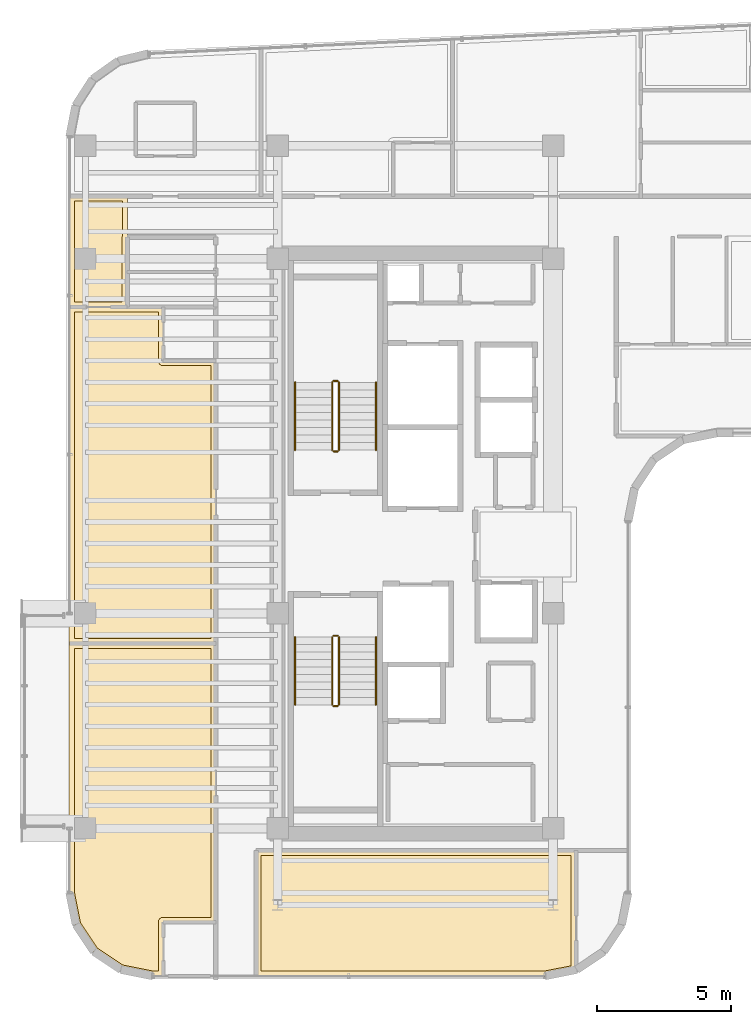
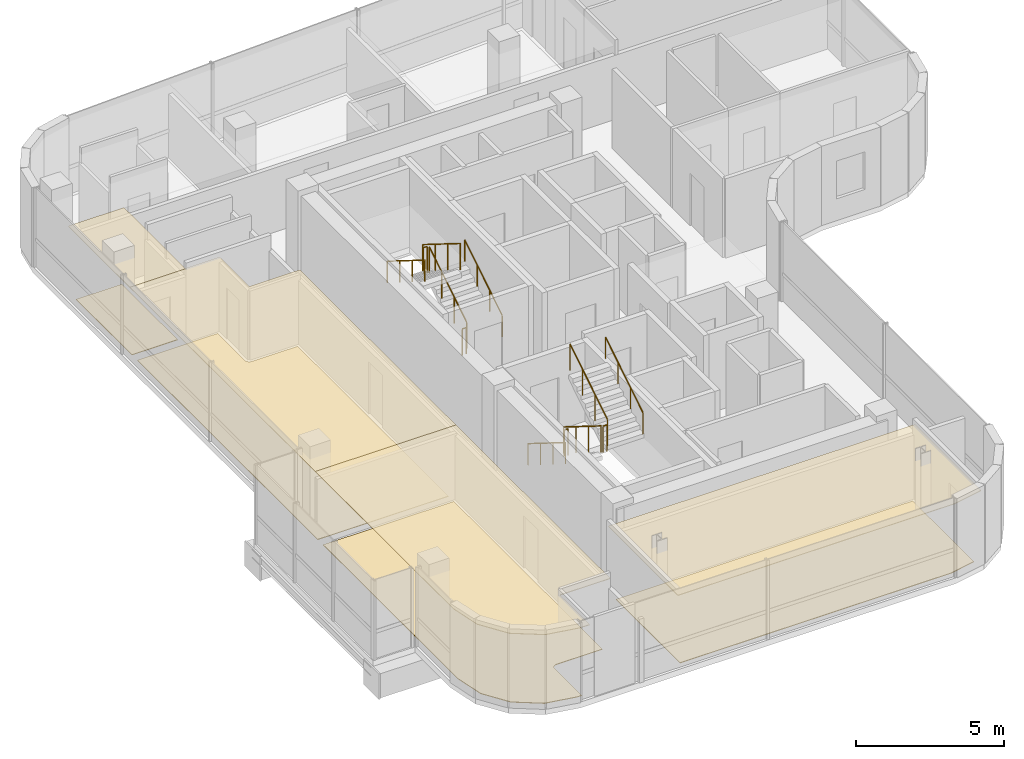
# One storey, part 18 of 19: 12 railings, 8 coverings.
"""IFC4 building model written with IfcOpenShell, lengths in metres."""

from ifc_helpers import new_model, si_unit, direction, frame, origin, origin_2d, place, context, subcontext, project, spatial, polyline, circle, outline, extrude, material, layer, layer_set, type_object, element, save


model = new_model("IFC4")

# Units and contexts
model_context = context("Model", 3, precision=1e-05, world=origin(), true_north=direction((0.0, 1.0)))
body_context = subcontext(model_context, "Body", "Model", "MODEL_VIEW")
ifc_project = project(units=[si_unit("LENGTHUNIT", "METRE"), si_unit("AREAUNIT", "SQUARE_METRE"), si_unit("VOLUMEUNIT", "CUBIC_METRE"), si_unit("PLANEANGLEUNIT", "RADIAN"), si_unit("MASSUNIT", "GRAM", prefix="KILO")], contexts=[model_context])

# Site, building, storey
site_placement = place(None, origin())
site = spatial("IfcSite", under=ifc_project, at=site_placement, CompositionType="ELEMENT")
building_placement = place(site_placement, origin())
building = spatial("IfcBuilding", under=site, at=building_placement, Name="Valdorenza Pilgrim Sanctuary Tower", CompositionType="ELEMENT")
storey_placement = place(building_placement, frame((0.0, 0.0, 269.5)))
storey = spatial("IfcBuildingStorey", under=building, at=storey_placement, Name="L70", CompositionType="ELEMENT", Elevation=269.5)

# Coverings
ifc_material_1 = material(Name="Micro-perforated acoustic mineral ceiling tile", Category="gypsum")
ifc_layer_1 = layer(ifc_material_1, 0.02490234375, Name="Micro-perforated acoustic mineral ceiling tile")
ifc_layer_set_1 = layer_set([ifc_layer_1], Name="Micro-perforated acoustic mineral ceiling tile")
covering_type_1 = type_object("IfcCoveringType", Name="COV-CLG-ACU", PredefinedType="CEILING", material=ifc_layer_set_1)
covering_1_placement = place(storey_placement, frame((0.0, 0.0, 2.9599609375)))
element("IfcCovering", 1, at=covering_1_placement, inside=storey, type_object=covering_type_1, Name="L70 Pilgrim Scholar Office L70-WN Acoustic Ceiling", PredefinedType="CEILING", context=body_context, shape_type="SweptSolid", body=[
    extrude(outline(polyline([(-28.237060546875, 11.39453125), (-28.237060546875, 10.103759765625), (-28.23681640625, 10.10302734375), (-28.23681640625, 10.1015625), (-28.23681640625, 10.10009765625), (-28.23681640625, 10.098388671875), (-28.237060546875, 10.09814453125), (-28.237060546875, 8.800048828125), (-28.237060546875, 8.798583984375), (-28.2373046875, 8.797119140625), (-28.237548828125, 8.795654296875), (-28.238037109375, 8.794189453125), (-28.23876953125, 8.79296875), (-28.239501953125, 8.791748046875), (-28.240478515625, 8.79052734375), (-28.241455078125, 8.789306640625), (-28.242431640625, 8.788330078125), (-28.24365234375, 8.78759765625), (-28.244873046875, 8.786865234375), (-28.246337890625, 8.7861328125), (-28.24755859375, 8.78564453125), (-28.2490234375, 8.785400390625), (-28.25048828125, 8.78515625), (-28.251953125, 8.784912109375), (-30.389892578125, 8.784912109375), (-30.3916015625, 8.78515625), (-30.392822265625, 8.785400390625), (-30.394287109375, 8.78564453125), (-30.395751953125, 8.7861328125), (-30.397216796875, 8.786865234375), (-30.398193359375, 8.78759765625), (-30.3994140625, 8.788330078125), (-30.400634765625, 8.789306640625), (-30.401611328125, 8.79052734375), (-30.402587890625, 8.791748046875), (-30.4033203125, 8.79296875), (-30.40380859375, 8.794189453125), (-30.404296875, 8.795654296875), (-30.40478515625, 8.797119140625), (-30.40478515625, 8.798583984375), (-30.405029296875, 8.800048828125), (-30.405029296875, 12.919921875), (-30.40478515625, 12.92138671875), (-30.40478515625, 12.9228515625), (-30.404296875, 12.92431640625), (-30.40380859375, 12.92578125), (-30.4033203125, 12.927001953125), (-30.402587890625, 12.92822265625), (-30.401611328125, 12.929443359375), (-30.400634765625, 12.9306640625), (-30.3994140625, 12.931640625), (-30.398193359375, 12.9326171875), (-30.397216796875, 12.93310546875), (-30.395751953125, 12.933837890625), (-30.394287109375, 12.934326171875), (-30.392822265625, 12.934814453125), (-30.3916015625, 12.934814453125), (-30.389892578125, 12.93505859375), (-28.25, 12.93505859375), (-28.24853515625, 12.934814453125), (-28.2470703125, 12.934814453125), (-28.24560546875, 12.934326171875), (-28.244384765625, 12.933837890625), (-28.242919921875, 12.93310546875), (-28.24169921875, 12.9326171875), (-28.240478515625, 12.931640625), (-28.239501953125, 12.9306640625), (-28.23828125, 12.929443359375), (-28.237548828125, 12.92822265625), (-28.23681640625, 12.927001953125), (-28.236083984375, 12.92578125), (-28.235595703125, 12.92431640625), (-28.2353515625, 12.9228515625), (-28.235107421875, 12.92138671875), (-28.235107421875, 12.919921875), (-28.235107421875, 11.402099609375), (-28.235107421875, 11.400390625), (-28.2353515625, 11.39892578125), (-28.235595703125, 11.3974609375), (-28.236083984375, 11.39599609375), (-28.23681640625, 11.394775390625), (-28.237060546875, 11.39453125)])), origin(), (0.0, 0.0, 1.0), 0.025146484375),
])
covering_2_placement = place(storey_placement, frame((0.0, 0.0, 2.9599609375)))
element("IfcCovering", 2, at=covering_2_placement, inside=storey, type_object=covering_type_1, Name="L70 Pilgrim Family Guest Room L70-W1 Acoustic Ceiling", PredefinedType="CEILING", context=body_context, shape_type="SweptSolid", body=[
    extrude(outline(polyline([(-30.405029296875, -3.719970703125), (-30.40478515625, -3.718505859375), (-30.40478515625, -3.717041015625), (-30.404296875, -3.715576171875), (-30.40380859375, -3.71435546875), (-30.4033203125, -3.712890625), (-30.402587890625, -3.711669921875), (-30.401611328125, -3.71044921875), (-30.400634765625, -3.70947265625), (-30.3994140625, -3.70849609375), (-30.398193359375, -3.70751953125), (-30.397216796875, -3.706787109375), (-30.395751953125, -3.7060546875), (-30.394287109375, -3.70556640625), (-30.392822265625, -3.705322265625), (-30.3916015625, -3.705078125), (-30.389892578125, -3.705078125), (-24.949951171875, -3.705078125), (-24.948486328125, -3.705078125), (-24.947021484375, -3.705322265625), (-24.945556640625, -3.70556640625), (-24.9443359375, -3.7060546875), (-24.94287109375, -3.706787109375), (-24.941650390625, -3.70751953125), (-24.9404296875, -3.70849609375), (-24.939453125, -3.70947265625), (-24.9384765625, -3.71044921875), (-24.9375, -3.711669921875), (-24.936767578125, -3.712890625), (-24.93603515625, -3.71435546875), (-24.935546875, -3.715576171875), (-24.935302734375, -3.717041015625), (-24.93505859375, -3.718505859375), (-24.93505859375, -3.719970703125), (-24.93505859375, -14.087890625), (-24.93505859375, -14.089599609375), (-24.935302734375, -14.0908203125), (-24.935546875, -14.09228515625), (-24.93603515625, -14.09375), (-24.936767578125, -14.09521484375), (-24.9375, -14.09619140625), (-24.9384765625, -14.097412109375), (-24.939453125, -14.0986328125), (-24.9404296875, -14.099609375), (-24.941650390625, -14.1005859375), (-24.94287109375, -14.101318359375), (-24.9443359375, -14.101806640625), (-24.945556640625, -14.102294921875), (-24.947021484375, -14.102783203125), (-24.948486328125, -14.102783203125), (-24.949951171875, -14.10302734375), (-26.89501953125, -14.10302734375), (-26.89501953125, -16.090087890625), (-26.89501953125, -16.091552734375), (-26.895263671875, -16.093017578125), (-26.8955078125, -16.094482421875), (-26.89599609375, -16.095703125), (-26.896728515625, -16.09716796875), (-26.8974609375, -16.098388671875), (-26.8984375, -16.099609375), (-26.8994140625, -16.1005859375), (-26.900390625, -16.1015625), (-26.901611328125, -16.1025390625), (-26.90283203125, -16.103271484375), (-26.904296875, -16.10400390625), (-26.905517578125, -16.1044921875), (-26.906982421875, -16.104736328125), (-26.908447265625, -16.10498046875), (-26.909912109375, -16.10498046875), (-27.289306640625, -16.10498046875), (-27.29052734375, -16.10498046875), (-27.2919921875, -16.104736328125), (-28.484619140625, -15.867431640625), (-28.486083984375, -15.8671875), (-28.4873046875, -15.86669921875), (-28.48876953125, -15.865966796875), (-28.489990234375, -15.865234375), (-29.49169921875, -15.19580078125), (-29.492919921875, -15.195068359375), (-29.493896484375, -15.194091796875), (-29.4951171875, -15.19287109375), (-29.495849609375, -15.191650390625), (-30.165283203125, -14.18994140625), (-30.166015625, -14.188720703125), (-30.16650390625, -14.1875), (-30.1669921875, -14.18603515625), (-30.16748046875, -14.1845703125), (-30.40478515625, -12.9921875), (-30.40478515625, -12.990478515625), (-30.405029296875, -12.9892578125), (-30.405029296875, -3.719970703125)])), origin(), (0.0, 0.0, 1.0), 0.025146484375),
])
covering_3_placement = place(storey_placement, frame((0.0, 0.0, 2.9599609375)))
element("IfcCovering", 3, at=covering_3_placement, inside=storey, type_object=covering_type_1, Name="L70 Pilgrim Family Guest Room L70-W2 Acoustic Ceiling", PredefinedType="CEILING", context=body_context, shape_type="SweptSolid", body=[
    extrude(outline(polyline([(-30.405029296875, 8.798095703125), (-30.40478515625, 8.799560546875), (-30.40478515625, 8.80078125), (-30.404296875, 8.802490234375), (-30.40380859375, 8.8037109375), (-30.4033203125, 8.80517578125), (-30.402587890625, 8.806396484375), (-30.401611328125, 8.8076171875), (-30.400634765625, 8.80859375), (-30.3994140625, 8.8095703125), (-30.398193359375, 8.810546875), (-30.397216796875, 8.811279296875), (-30.395751953125, 8.81201171875), (-30.394287109375, 8.8125), (-30.392822265625, 8.812744140625), (-30.3916015625, 8.81298828125), (-30.389892578125, 8.81298828125), (-28.253662109375, 8.81298828125), (-28.253173828125, 8.81298828125), (-28.25146484375, 8.813232421875), (-28.25, 8.813232421875), (-28.24853515625, 8.81298828125), (-28.248291015625, 8.81298828125), (-26.909912109375, 8.81298828125), (-26.908447265625, 8.81298828125), (-26.906982421875, 8.812744140625), (-26.905517578125, 8.8125), (-26.904296875, 8.81201171875), (-26.90283203125, 8.811279296875), (-26.901611328125, 8.810546875), (-26.900390625, 8.8095703125), (-26.8994140625, 8.80859375), (-26.8984375, 8.8076171875), (-26.8974609375, 8.806396484375), (-26.896728515625, 8.80517578125), (-26.89599609375, 8.8037109375), (-26.8955078125, 8.802490234375), (-26.895263671875, 8.80078125), (-26.89501953125, 8.799560546875), (-26.89501953125, 8.798095703125), (-26.89501953125, 6.81298828125), (-24.949951171875, 6.81298828125), (-24.948486328125, 6.81298828125), (-24.947021484375, 6.812744140625), (-24.945556640625, 6.8125), (-24.9443359375, 6.81201171875), (-24.94287109375, 6.811279296875), (-24.941650390625, 6.810546875), (-24.9404296875, 6.8095703125), (-24.939453125, 6.80859375), (-24.9384765625, 6.8076171875), (-24.9375, 6.806396484375), (-24.936767578125, 6.80517578125), (-24.93603515625, 6.8037109375), (-24.935546875, 6.802490234375), (-24.935302734375, 6.80078125), (-24.93505859375, 6.799560546875), (-24.93505859375, 6.798095703125), (-24.93505859375, -3.718017578125), (-24.93505859375, -3.719482421875), (-24.935302734375, -3.720947265625), (-24.935546875, -3.722412109375), (-24.93603515625, -3.7236328125), (-24.936767578125, -3.72509765625), (-24.9375, -3.726318359375), (-24.9384765625, -3.7275390625), (-24.939453125, -3.728515625), (-24.9404296875, -3.7294921875), (-24.941650390625, -3.73046875), (-24.94287109375, -3.731201171875), (-24.9443359375, -3.73193359375), (-24.945556640625, -3.732421875), (-24.947021484375, -3.732666015625), (-24.948486328125, -3.73291015625), (-24.949951171875, -3.73291015625), (-30.389892578125, -3.73291015625), (-30.3916015625, -3.73291015625), (-30.392822265625, -3.732666015625), (-30.394287109375, -3.732421875), (-30.395751953125, -3.73193359375), (-30.397216796875, -3.731201171875), (-30.398193359375, -3.73046875), (-30.3994140625, -3.7294921875), (-30.400634765625, -3.728515625), (-30.401611328125, -3.7275390625), (-30.402587890625, -3.726318359375), (-30.4033203125, -3.72509765625), (-30.40380859375, -3.7236328125), (-30.404296875, -3.722412109375), (-30.40478515625, -3.720947265625), (-30.40478515625, -3.719482421875), (-30.405029296875, -3.718017578125), (-30.405029296875, 8.798095703125)])), origin(), (0.0, 0.0, 1.0), 0.025146484375),
])
covering_4_placement = place(storey_placement, frame((0.0, 0.0, 2.9599609375)))
element("IfcCovering", 4, at=covering_4_placement, inside=storey, type_object=covering_type_1, Name="L70 South Contemplation Lounge L70 Acoustic Ceiling", PredefinedType="CEILING", context=body_context, shape_type="SweptSolid", body=[
    extrude(outline(polyline([(-11.550048828125, -11.405029296875), (-11.548583984375, -11.405029296875), (-11.547119140625, -11.4052734375), (-11.545654296875, -11.405517578125), (-11.544189453125, -11.406005859375), (-11.54296875, -11.40673828125), (-11.541748046875, -11.407470703125), (-11.54052734375, -11.408447265625), (-11.539306640625, -11.409423828125), (-11.538330078125, -11.410400390625), (-11.53759765625, -11.41162109375), (-11.536865234375, -11.412841796875), (-11.5361328125, -11.414306640625), (-11.53564453125, -11.41552734375), (-11.535400390625, -11.4169921875), (-11.53515625, -11.41845703125), (-11.534912109375, -11.419921875), (-11.534912109375, -15.859130859375), (-11.53515625, -15.860595703125), (-11.535400390625, -15.862060546875), (-11.53564453125, -15.86328125), (-11.5361328125, -15.86474609375), (-11.536865234375, -15.8662109375), (-11.53759765625, -15.867431640625), (-11.538330078125, -15.86865234375), (-11.539306640625, -15.86962890625), (-11.54052734375, -15.87060546875), (-11.541748046875, -15.87158203125), (-11.54296875, -15.872314453125), (-11.544189453125, -15.872802734375), (-11.545654296875, -15.873291015625), (-11.547119140625, -15.873779296875), (-12.7080078125, -16.104736328125), (-12.70947265625, -16.10498046875), (-12.710693359375, -16.10498046875), (-23.449951171875, -16.10498046875), (-23.451416015625, -16.10498046875), (-23.452880859375, -16.104736328125), (-23.454345703125, -16.1044921875), (-23.455810546875, -16.10400390625), (-23.45703125, -16.103271484375), (-23.458251953125, -16.1025390625), (-23.45947265625, -16.1015625), (-23.460693359375, -16.1005859375), (-23.461669921875, -16.099609375), (-23.46240234375, -16.098388671875), (-23.463134765625, -16.09716796875), (-23.4638671875, -16.095703125), (-23.46435546875, -16.094482421875), (-23.464599609375, -16.093017578125), (-23.46484375, -16.091552734375), (-23.465087890625, -16.090087890625), (-23.465087890625, -11.419921875), (-23.46484375, -11.41845703125), (-23.464599609375, -11.4169921875), (-23.46435546875, -11.41552734375), (-23.4638671875, -11.414306640625), (-23.463134765625, -11.412841796875), (-23.46240234375, -11.41162109375), (-23.461669921875, -11.410400390625), (-23.460693359375, -11.409423828125), (-23.45947265625, -11.408447265625), (-23.458251953125, -11.407470703125), (-23.45703125, -11.40673828125), (-23.455810546875, -11.406005859375), (-23.454345703125, -11.405517578125), (-23.452880859375, -11.4052734375), (-23.451416015625, -11.405029296875), (-23.449951171875, -11.405029296875), (-11.550048828125, -11.405029296875)])), origin(), (0.0, 0.0, 1.0), 0.025146484375),
])
ifc_material_2 = material(Name="Engineered European oak timber flooring", Category="wood")
ifc_layer_2 = layer(ifc_material_2, 0.02197265625, Name="Engineered European oak timber flooring")
ifc_layer_set_2 = layer_set([ifc_layer_2], Name="Engineered European oak timber flooring")
covering_type_2 = type_object("IfcCoveringType", Name="COV-FLR-OAK", PredefinedType="FLOORING", material=ifc_layer_set_2)
covering_5_placement = place(storey_placement, origin())
element("IfcCovering", 5, at=covering_5_placement, inside=storey, type_object=covering_type_2, Name="L70 Pilgrim Family Guest Room L70-W1 Flooring", PredefinedType="FLOORING", context=body_context, shape_type="SweptSolid", body=[
    extrude(outline(polyline([(-30.2099609375, -3.89990234375), (-25.1298828125, -3.89990234375), (-25.1298828125, -13.907958984375), (-26.907958984375, -13.907958984375), (-26.916748046875, -13.908203125), (-26.9169921875, -13.908203125), (-26.9345703125, -13.909912109375), (-26.934814453125, -13.909912109375), (-26.9521484375, -13.913330078125), (-26.952392578125, -13.91357421875), (-26.96923828125, -13.918701171875), (-26.969482421875, -13.918701171875), (-26.985595703125, -13.92529296875), (-26.98583984375, -13.925537109375), (-27.00146484375, -13.933837890625), (-27.001708984375, -13.933837890625), (-27.016357421875, -13.94384765625), (-27.0166015625, -13.94384765625), (-27.030029296875, -13.955078125), (-27.0302734375, -13.955078125), (-27.042724609375, -13.9677734375), (-27.04296875, -13.968017578125), (-27.05419921875, -13.9814453125), (-27.05419921875, -13.981689453125), (-27.064208984375, -13.996337890625), (-27.064208984375, -13.99658203125), (-27.072509765625, -14.01220703125), (-27.072509765625, -14.01220703125), (-27.079345703125, -14.028564453125), (-27.079345703125, -14.02880859375), (-27.08447265625, -14.045654296875), (-27.084716796875, -14.0458984375), (-27.087890625, -14.063232421875), (-27.087890625, -14.0634765625), (-27.08984375, -14.0810546875), (-27.08984375, -14.081298828125), (-27.090087890625, -14.090087890625), (-27.090087890625, -15.909912109375), (-27.271484375, -15.909912109375), (-28.411376953125, -15.68310546875), (-29.353515625, -15.0537109375), (-29.983154296875, -14.111328125), (-30.2099609375, -12.971435546875), (-30.2099609375, -3.89990234375)])), origin(), (0.0, 0.0, 1.0), 0.02490234375),
])
covering_6_placement = place(storey_placement, origin())
element("IfcCovering", 6, at=covering_6_placement, inside=storey, type_object=covering_type_2, Name="L70 Pilgrim Family Guest Room L70-W2 Flooring", PredefinedType="FLOORING", context=body_context, shape_type="SweptSolid", body=[
    extrude(outline(polyline([(-30.2099609375, 8.617919921875), (-28.251953125, 8.617919921875), (-28.2509765625, 8.617919921875), (-28.250244140625, 8.617919921875), (-28.25, 8.617919921875), (-27.090087890625, 8.617919921875), (-27.090087890625, 6.800048828125), (-27.08984375, 6.791259765625), (-27.08984375, 6.791015625), (-27.087890625, 6.7734375), (-27.087890625, 6.773193359375), (-27.084716796875, 6.755859375), (-27.08447265625, 6.755615234375), (-27.079345703125, 6.73876953125), (-27.079345703125, 6.738525390625), (-27.072509765625, 6.722412109375), (-27.072509765625, 6.72216796875), (-27.064208984375, 6.70654296875), (-27.064208984375, 6.706298828125), (-27.05419921875, 6.691650390625), (-27.05419921875, 6.69140625), (-27.04296875, 6.677978515625), (-27.042724609375, 6.677734375), (-27.0302734375, 6.665283203125), (-27.030029296875, 6.6650390625), (-27.0166015625, 6.65380859375), (-27.016357421875, 6.65380859375), (-27.001708984375, 6.643798828125), (-27.00146484375, 6.643798828125), (-26.98583984375, 6.635498046875), (-26.985595703125, 6.635498046875), (-26.969482421875, 6.628662109375), (-26.96923828125, 6.628662109375), (-26.952392578125, 6.62353515625), (-26.9521484375, 6.623291015625), (-26.934814453125, 6.6201171875), (-26.9345703125, 6.6201171875), (-26.9169921875, 6.6181640625), (-26.916748046875, 6.6181640625), (-26.907958984375, 6.617919921875), (-25.1298828125, 6.617919921875), (-25.1298828125, -3.5380859375), (-30.2099609375, -3.5380859375), (-30.2099609375, 8.617919921875)])), origin(), (0.0, 0.0, 1.0), 0.02490234375),
])
ifc_material_3 = material(Name="Honed travertine stone flooring", Category="masonry")
ifc_layer_3 = layer(ifc_material_3, 0.030029296875, Name="Honed travertine stone flooring")
ifc_layer_set_3 = layer_set([ifc_layer_3], Name="Honed travertine stone flooring")
covering_type_3 = type_object("IfcCoveringType", Name="COV-FLR-TRV", PredefinedType="FLOORING", material=ifc_layer_set_3)
covering_7_placement = place(storey_placement, origin())
element("IfcCovering", 7, at=covering_7_placement, inside=storey, type_object=covering_type_3, Name="L70 Pilgrim Scholar Office L70-WN Flooring", PredefinedType="FLOORING", context=body_context, shape_type="SweptSolid", body=[
    extrude(outline(polyline([(-28.431884765625, 10.100341796875), (-28.431884765625, 10.10009765625), (-28.431884765625, 8.97998046875), (-30.2099609375, 8.97998046875), (-30.2099609375, 12.739990234375), (-28.429931640625, 12.739990234375), (-28.429931640625, 11.427001953125), (-28.429931640625, 11.4267578125), (-28.429931640625, 11.426513671875), (-28.431884765625, 11.408935546875), (-28.431884765625, 11.40869140625), (-28.431884765625, 11.39990234375), (-28.431884765625, 10.10205078125), (-28.431884765625, 10.10107421875), (-28.431884765625, 10.100341796875)])), origin(), (0.0, 0.0, 1.0), 0.02490234375),
])
covering_8_placement = place(storey_placement, origin())
element("IfcCovering", 8, at=covering_8_placement, inside=storey, type_object=covering_type_3, Name="L70 South Contemplation Lounge L70 Flooring", PredefinedType="FLOORING", context=body_context, shape_type="SweptSolid", body=[
    extrude(outline(polyline([(-11.72998046875, -11.60009765625), (-11.72998046875, -15.71142578125), (-12.728515625, -15.909912109375), (-23.27001953125, -15.909912109375), (-23.27001953125, -11.60009765625), (-11.72998046875, -11.60009765625)])), origin(), (0.0, 0.0, 1.0), 0.02490234375),
])

# Railings
ifc_material_4 = material(Name="Stainless steel Grade 316", Category="steel")
railing_type_1 = type_object("IfcRailingType", Name="RLG-GRD-1120", PredefinedType="GUARDRAIL", material=ifc_material_4)
railing_1_placement = place(storey_placement, frame((-20.3701171875, 3.47998046875, 0.175048828125)))
element("IfcRailing", 9, at=railing_1_placement, inside=storey, type_object=railing_type_1, Name="L70 ST-A1 stair guard 1", PredefinedType="GUARDRAIL", context=body_context, shape_type="SweptSolid", body=[
    extrude(circle(Radius=0.02392578125, at=origin_2d()), frame((0.0, 0.0, 1.076171875), z_axis=(0.0, 0.848007534815, 0.529984170421), x_axis=(-1.0, 0.0, 0.0)), (0.0, 0.0, 1.0), 2.9716796875),
    extrude(circle(Radius=0.02099609375, at=origin_2d()), origin(), (0.0, 0.0, 1.0), 1.052001953125),
    extrude(circle(Radius=0.02099609375, at=origin_2d()), frame((0.0, 0.840087890625, 0.52490234375)), (0.0, 0.0, 1.0), 1.052001953125),
    extrude(circle(Radius=0.02099609375, at=origin_2d()), frame((0.0, 1.679931640625, 1.050048828125)), (0.0, 0.0, 1.0), 1.052001953125),
    extrude(circle(Radius=0.02099609375, at=origin_2d()), frame((0.0, 2.52001953125, 1.574951171875)), (0.0, 0.0, 1.0), 1.052001953125),
])
railing_2_placement = place(storey_placement, frame((-20.419921875, 6.050048828125, 1.75)))
element("IfcRailing", 10, at=railing_2_placement, inside=storey, type_object=railing_type_1, Name="L70 ST-A1 stair guard 2", PredefinedType="GUARDRAIL", context=body_context, shape_type="SweptSolid", body=[
    extrude(circle(Radius=0.02392578125, at=origin_2d()), frame((0.0, 0.0, 1.076171875), z_axis=(-1.0, 0.0, 0.0), x_axis=(0.0, -1.0, 0.0)), (0.0, 0.0, 1.0), 0.150146484375),
    extrude(circle(Radius=0.02099609375, at=origin_2d()), origin(), (0.0, 0.0, 1.0), 1.052001953125),
    extrude(circle(Radius=0.02099609375, at=origin_2d()), frame((-0.150146484375, 0.0, 0.0)), (0.0, 0.0, 1.0), 1.052001953125),
])
railing_3_placement = place(storey_placement, frame((-20.6201171875, 6.0, 1.925048828125)))
element("IfcRailing", 11, at=railing_3_placement, inside=storey, type_object=railing_type_1, Name="L70 ST-A1 stair guard 3", PredefinedType="GUARDRAIL", context=body_context, shape_type="SweptSolid", body=[
    extrude(circle(Radius=0.02392578125, at=origin_2d()), frame((0.0, 0.0, 1.076171875), z_axis=(0.0, -0.848007534815, 0.529984170421), x_axis=(1.0, 0.0, 0.0)), (0.0, 0.0, 1.0), 2.9716796875),
    extrude(circle(Radius=0.02099609375, at=origin_2d()), origin(), (0.0, 0.0, 1.0), 1.052001953125),
    extrude(circle(Radius=0.02099609375, at=origin_2d()), frame((0.0, -0.840087890625, 0.52490234375)), (0.0, 0.0, 1.0), 1.052001953125),
    extrude(circle(Radius=0.02099609375, at=origin_2d()), frame((0.0, -1.679931640625, 1.050048828125)), (0.0, 0.0, 1.0), 1.052001953125),
    extrude(circle(Radius=0.02099609375, at=origin_2d()), frame((0.0, -2.52001953125, 1.574951171875)), (0.0, 0.0, 1.0), 1.052001953125),
])
railing_4_placement = place(storey_placement, frame((-20.419921875, 3.429931640625, 0.0)))
element("IfcRailing", 12, at=railing_4_placement, inside=storey, type_object=railing_type_1, Name="L70 ST-A1 stair guard 4", PredefinedType="GUARDRAIL", context=body_context, shape_type="SweptSolid", body=[
    extrude(circle(Radius=0.02392578125, at=origin_2d()), frame((0.0, 0.0, 1.076171875), z_axis=(-1.0, 0.0, 0.0), x_axis=(0.0, -1.0, 0.0)), (0.0, 0.0, 1.0), 0.150146484375),
    extrude(circle(Radius=0.02099609375, at=origin_2d()), origin(), (0.0, 0.0, 1.0), 1.052001953125),
    extrude(circle(Radius=0.02099609375, at=origin_2d()), frame((-0.150146484375, 0.0, 0.0)), (0.0, 0.0, 1.0), 1.052001953125),
])
railing_5_placement = place(storey_placement, frame((-20.6201171875, -3.47998046875, 0.175048828125)))
element("IfcRailing", 13, at=railing_5_placement, inside=storey, type_object=railing_type_1, Name="L70 ST-A2 stair guard 1", PredefinedType="GUARDRAIL", context=body_context, shape_type="SweptSolid", body=[
    extrude(circle(Radius=0.02392578125, at=origin_2d()), frame((0.0, 0.0, 1.076171875), z_axis=(0.0, -0.848007534815, 0.529984170421), x_axis=(1.0, 0.0, 0.0)), (0.0, 0.0, 1.0), 2.9716796875),
    extrude(circle(Radius=0.02099609375, at=origin_2d()), origin(), (0.0, 0.0, 1.0), 1.052001953125),
    extrude(circle(Radius=0.02099609375, at=origin_2d()), frame((0.0, -0.840087890625, 0.52490234375)), (0.0, 0.0, 1.0), 1.052001953125),
    extrude(circle(Radius=0.02099609375, at=origin_2d()), frame((0.0, -1.679931640625, 1.050048828125)), (0.0, 0.0, 1.0), 1.052001953125),
    extrude(circle(Radius=0.02099609375, at=origin_2d()), frame((0.0, -2.52001953125, 1.574951171875)), (0.0, 0.0, 1.0), 1.052001953125),
])
railing_6_placement = place(storey_placement, frame((-20.570068359375, -6.050048828125, 1.75)))
element("IfcRailing", 14, at=railing_6_placement, inside=storey, type_object=railing_type_1, Name="L70 ST-A2 stair guard 2", PredefinedType="GUARDRAIL", context=body_context, shape_type="SweptSolid", body=[
    extrude(circle(Radius=0.02392578125, at=origin_2d()), frame((0.0, 0.0, 1.076171875), z_axis=(1.0, 0.0, 0.0), x_axis=(0.0, 1.0, 0.0)), (0.0, 0.0, 1.0), 0.150146484375),
    extrude(circle(Radius=0.02099609375, at=origin_2d()), origin(), (0.0, 0.0, 1.0), 1.052001953125),
    extrude(circle(Radius=0.02099609375, at=origin_2d()), frame((0.150146484375, 0.0, 0.0)), (0.0, 0.0, 1.0), 1.052001953125),
])
railing_7_placement = place(storey_placement, frame((-20.3701171875, -6.0, 1.925048828125)))
element("IfcRailing", 15, at=railing_7_placement, inside=storey, type_object=railing_type_1, Name="L70 ST-A2 stair guard 3", PredefinedType="GUARDRAIL", context=body_context, shape_type="SweptSolid", body=[
    extrude(circle(Radius=0.02392578125, at=origin_2d()), frame((0.0, 0.0, 1.076171875), z_axis=(0.0, 0.848007534815, 0.529984170421), x_axis=(-1.0, 0.0, 0.0)), (0.0, 0.0, 1.0), 2.9716796875),
    extrude(circle(Radius=0.02099609375, at=origin_2d()), origin(), (0.0, 0.0, 1.0), 1.052001953125),
    extrude(circle(Radius=0.02099609375, at=origin_2d()), frame((0.0, 0.840087890625, 0.52490234375)), (0.0, 0.0, 1.0), 1.052001953125),
    extrude(circle(Radius=0.02099609375, at=origin_2d()), frame((0.0, 1.679931640625, 1.050048828125)), (0.0, 0.0, 1.0), 1.052001953125),
    extrude(circle(Radius=0.02099609375, at=origin_2d()), frame((0.0, 2.52001953125, 1.574951171875)), (0.0, 0.0, 1.0), 1.052001953125),
])
railing_8_placement = place(storey_placement, frame((-20.570068359375, -3.429931640625, 0.0)))
element("IfcRailing", 16, at=railing_8_placement, inside=storey, type_object=railing_type_1, Name="L70 ST-A2 stair guard 4", PredefinedType="GUARDRAIL", context=body_context, shape_type="SweptSolid", body=[
    extrude(circle(Radius=0.02392578125, at=origin_2d()), frame((0.0, 0.0, 1.076171875), z_axis=(1.0, 0.0, 0.0), x_axis=(0.0, 1.0, 0.0)), (0.0, 0.0, 1.0), 0.150146484375),
    extrude(circle(Radius=0.02099609375, at=origin_2d()), origin(), (0.0, 0.0, 1.0), 1.052001953125),
    extrude(circle(Radius=0.02099609375, at=origin_2d()), frame((0.150146484375, 0.0, 0.0)), (0.0, 0.0, 1.0), 1.052001953125),
])
ifc_material_5 = material(Name="Brushed stainless steel Grade 316", Category="steel")
railing_type_2 = type_object("IfcRailingType", Name="RLG-HND-920", PredefinedType="HANDRAIL", material=ifc_material_5)
railing_9_placement = place(storey_placement, frame((-18.989990234375, 3.47998046875, 0.175048828125)))
element("IfcRailing", 17, at=railing_9_placement, inside=storey, type_object=railing_type_2, Name="L70 ST-A1 stair handrail 1", PredefinedType="HANDRAIL", context=body_context, shape_type="SweptSolid", body=[
    extrude(circle(Radius=0.02392578125, at=origin_2d()), frame((0.0, 0.0, 0.8759765625), z_axis=(0.0, 0.848007534815, 0.529984170421), x_axis=(-1.0, 0.0, 0.0)), (0.0, 0.0, 1.0), 2.9716796875),
    extrude(circle(Radius=0.02099609375, at=origin_2d()), origin(), (0.0, 0.0, 1.0), 0.851806640625),
    extrude(circle(Radius=0.02099609375, at=origin_2d()), frame((0.0, 0.840087890625, 0.52490234375)), (0.0, 0.0, 1.0), 0.851806640625),
    extrude(circle(Radius=0.02099609375, at=origin_2d()), frame((0.0, 1.679931640625, 1.050048828125)), (0.0, 0.0, 1.0), 0.851806640625),
    extrude(circle(Radius=0.02099609375, at=origin_2d()), frame((0.0, 2.52001953125, 1.574951171875)), (0.0, 0.0, 1.0), 0.851806640625),
])
for number, where, name in (
    (18, (-22.0, 6.0, 1.925048828125), "L70 ST-A1 stair handrail 2"),
    (19, (-22.0, -3.47998046875, 0.175048828125), "L70 ST-A2 stair handrail 1"),
):
    element("IfcRailing", number, at=place(storey_placement, frame(where)), inside=storey, type_object=railing_type_2, Name=name, PredefinedType="HANDRAIL", context=body_context, shape_type="SweptSolid", body=[
        extrude(circle(Radius=0.02392578125, at=origin_2d()), frame((0.0, 0.0, 0.8759765625), z_axis=(0.0, -0.848007534815, 0.529984170421), x_axis=(1.0, 0.0, 0.0)), (0.0, 0.0, 1.0), 2.9716796875),
        extrude(circle(Radius=0.02099609375, at=origin_2d()), origin(), (0.0, 0.0, 1.0), 0.851806640625),
        extrude(circle(Radius=0.02099609375, at=origin_2d()), frame((0.0, -0.840087890625, 0.52490234375)), (0.0, 0.0, 1.0), 0.851806640625),
        extrude(circle(Radius=0.02099609375, at=origin_2d()), frame((0.0, -1.679931640625, 1.050048828125)), (0.0, 0.0, 1.0), 0.851806640625),
        extrude(circle(Radius=0.02099609375, at=origin_2d()), frame((0.0, -2.52001953125, 1.574951171875)), (0.0, 0.0, 1.0), 0.851806640625),
    ])
railing_10_placement = place(storey_placement, frame((-18.989990234375, -6.0, 1.925048828125)))
element("IfcRailing", 20, at=railing_10_placement, inside=storey, type_object=railing_type_2, Name="L70 ST-A2 stair handrail 2", PredefinedType="HANDRAIL", context=body_context, shape_type="SweptSolid", body=[
    extrude(circle(Radius=0.02392578125, at=origin_2d()), frame((0.0, 0.0, 0.8759765625), z_axis=(0.0, 0.848007534815, 0.529984170421), x_axis=(-1.0, 0.0, 0.0)), (0.0, 0.0, 1.0), 2.9716796875),
    extrude(circle(Radius=0.02099609375, at=origin_2d()), origin(), (0.0, 0.0, 1.0), 0.851806640625),
    extrude(circle(Radius=0.02099609375, at=origin_2d()), frame((0.0, 0.840087890625, 0.52490234375)), (0.0, 0.0, 1.0), 0.851806640625),
    extrude(circle(Radius=0.02099609375, at=origin_2d()), frame((0.0, 1.679931640625, 1.050048828125)), (0.0, 0.0, 1.0), 0.851806640625),
    extrude(circle(Radius=0.02099609375, at=origin_2d()), frame((0.0, 2.52001953125, 1.574951171875)), (0.0, 0.0, 1.0), 0.851806640625),
])

save(model, "model.ifc")
